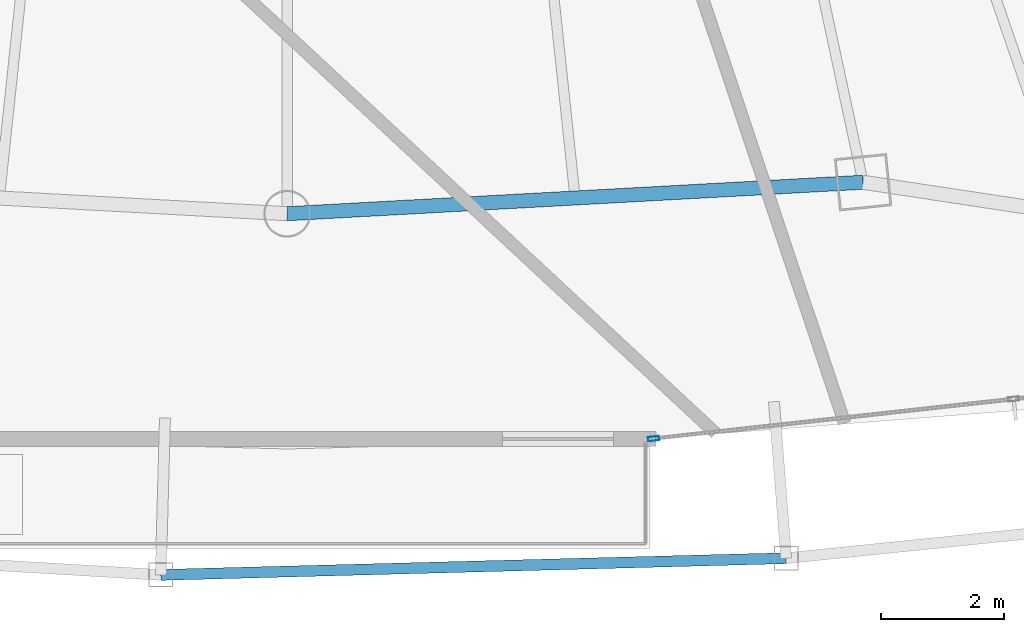
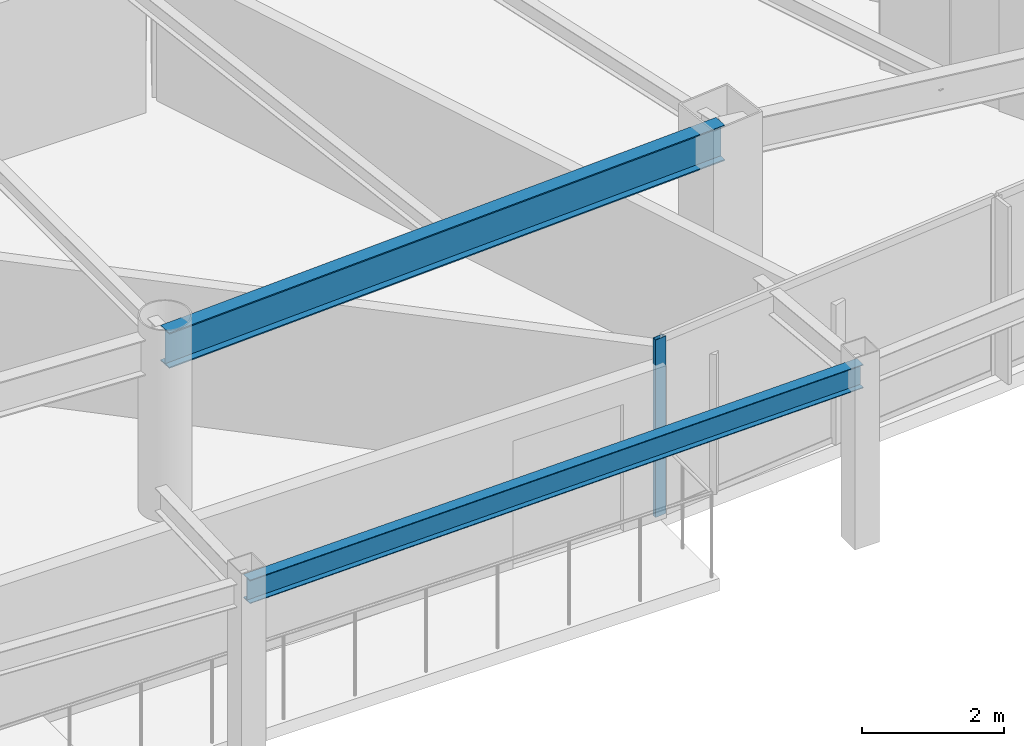
# One storey, part 7 of 31: 2 beams, 1 member, 1 element without a shape of its own.
"""IFC4 building model written with IfcOpenShell, lengths in metres."""

import ifcopenshell
import ifcopenshell.guid

model = None  # the IFC model being written
_history = None  # IfcOwnerHistory: only IFC2X3 demands one
_inside = {}  # id of a spatial element -> (the spatial element, [elements in it])
_under = {}  # id of a project, library or spatial element -> (it, [spatial elements below it])
_declared = {}  # id of a project -> (the project, [libraries it declares])
_typed = {}  # id of a type object -> (the type object, [elements of that type])
_made_of = {}  # id of a material, layer set ... -> (it, [elements and type objects made of it])


def new_model(schema):
    """Start an empty IFC model of exactly this schema.

    Asked for "IFC4X3", IfcOpenShell would pick the latest addendum, in which some entities
    have other attributes; the version numbers below select the first issue.
    IFC2X3 requires an IfcOwnerHistory on every rooted entity: one is made here for all.
    """
    global model, _history
    if schema == "IFC4X3":
        model = ifcopenshell.file(schema_version=(4, 3, 0, 0))
    else:
        model = ifcopenshell.file(schema=schema)
    _inside.clear()
    _under.clear()
    _declared.clear()
    _typed.clear()
    _made_of.clear()
    _history = None
    if model.schema == "IFC2X3":
        org = make("IfcOrganization", Name="unknown")
        user = make(
            "IfcPersonAndOrganization",
            ThePerson=make("IfcPerson", FamilyName="unknown"),
            TheOrganization=org,
        )
        app = make(
            "IfcApplication",
            ApplicationDeveloper=org,
            Version="unknown",
            ApplicationFullName="unknown",
            ApplicationIdentifier="unknown",
        )
        _history = make(
            "IfcOwnerHistory",
            OwningUser=user,
            OwningApplication=app,
            ChangeAction="ADDED",
            CreationDate=0,
        )
    return model


def make(cls, **values):
    """One entity of the class cls with the attributes given. An attribute that is None is left unset."""
    return model.create_entity(
        cls, **{name: value for name, value in values.items() if value is not None}
    )


def rooted(cls, **values):
    """An entity with a GlobalId (a new one), such as an element, a storey or a relation."""
    return make(cls, GlobalId=ifcopenshell.guid.new(), OwnerHistory=_history, **values)


def si_unit(unit_type, name, prefix=None):
    """IfcSIUnit, for example si_unit("LENGTHUNIT", "METRE", prefix="MILLI")."""
    return make("IfcSIUnit", UnitType=unit_type, Prefix=prefix, Name=name)


def assignment(units):
    """IfcUnitAssignment: the units of a project."""
    return None if units is None else make("IfcUnitAssignment", Units=units)


def point(xyz):
    """IfcCartesianPoint."""
    return None if xyz is None else make("IfcCartesianPoint", Coordinates=xyz)


def direction(xyz):
    """IfcDirection."""
    return None if xyz is None else make("IfcDirection", DirectionRatios=xyz)


def frame(location, z_axis=None, x_axis=None):
    """IfcAxis2Placement3D, a coordinate frame: its origin and axes. An axis left out is left unset."""
    return make(
        "IfcAxis2Placement3D",
        Location=point(location),
        Axis=direction(z_axis),
        RefDirection=direction(x_axis),
    )


def frame_2d(location, x_axis=None):
    """IfcAxis2Placement2D, a coordinate frame in the plane: its origin and x axis."""
    return make(
        "IfcAxis2Placement2D", Location=point(location), RefDirection=direction(x_axis)
    )


def origin():
    """The frame at (0, 0, 0) with its axes left unset."""
    return frame((0.0, 0.0, 0.0))


def origin_2d():
    """The frame at (0, 0) in the plane with its x axis left unset."""
    return frame_2d((0.0, 0.0))


def place(relative_to, where):
    """IfcLocalPlacement: puts the frame where relative to a parent placement (None: the world)."""
    return make(
        "IfcLocalPlacement", PlacementRelTo=relative_to, RelativePlacement=where
    )


def context(
    kind, dimensions, precision=None, world=None, true_north=None, identifier=None
):
    """IfcGeometricRepresentationContext, for example the 3D "Model" context."""
    return make(
        "IfcGeometricRepresentationContext",
        ContextIdentifier=identifier,
        ContextType=kind,
        CoordinateSpaceDimension=dimensions,
        Precision=precision,
        WorldCoordinateSystem=world,
        TrueNorth=true_north,
    )


def subcontext(parent, identifier, kind, view, scale=None):
    """IfcGeometricRepresentationSubContext, for example "Body" below "Model"."""
    return make(
        "IfcGeometricRepresentationSubContext",
        ContextIdentifier=identifier,
        ContextType=kind,
        ParentContext=parent,
        TargetScale=scale,
        TargetView=view,
    )


def project(units=None, contexts=None):
    """IfcProject with its units and contexts."""
    return rooted(
        "IfcProject",
        Name="project",
        RepresentationContexts=contexts,
        UnitsInContext=assignment(units),
    )


def spatial(cls, under=None, at=None, **own):
    """A site, building, storey or space (cls), placed at a placement, below another one or the project."""
    s = rooted(cls, ObjectPlacement=at, **own)
    if under is not None:
        _under.setdefault(under.id(), (under, []))[1].append(s)
    return s


def profile(cls, at=None, kind="AREA", **sizes):
    """A parametric profile (cls). Its sizes go by their IFC names, for example OverallWidth=200.0."""
    return make(cls, ProfileType=kind, Position=at, **sizes)


def hollow_rectangle(**sizes):
    """IfcRectangleHollowProfileDef."""
    return profile("IfcRectangleHollowProfileDef", **sizes)


def i_section(**sizes):
    """IfcIShapeProfileDef."""
    return profile("IfcIShapeProfileDef", **sizes)


def extrude(swept, where, along, depth):
    """IfcExtrudedAreaSolid: the profile swept, set in the frame where, extruded along a direction by depth."""
    return make(
        "IfcExtrudedAreaSolid",
        SweptArea=swept,
        Position=where,
        ExtrudedDirection=direction(along),
        Depth=depth,
    )


def shape(context_of_items, identifier, shape_type, items):
    """IfcShapeRepresentation: the items that make up one representation, for example the "Body"."""
    return make(
        "IfcShapeRepresentation",
        ContextOfItems=context_of_items,
        RepresentationIdentifier=identifier,
        RepresentationType=shape_type,
        Items=items,
    )


def material(Name=None, Category=None):
    """IfcMaterial."""
    return make("IfcMaterial", Name=Name, Category=Category)


def layer(
    of_material, thickness, ventilated=None, Name=None, Category=None, Priority=None
):
    """IfcMaterialLayer: one layer of a wall or slab, of a material (None: an air gap)."""
    return make(
        "IfcMaterialLayer",
        Material=of_material,
        LayerThickness=thickness,
        IsVentilated=ventilated,
        Name=Name,
        Category=Category,
        Priority=Priority,
    )


def layer_set(layers, Name=None):
    """IfcMaterialLayerSet."""
    return make("IfcMaterialLayerSet", MaterialLayers=layers, LayerSetName=Name)


def material_profile(
    of_material, cross_section, Name=None, Category=None, Priority=None
):
    """IfcMaterialProfile: a cross section and its material."""
    return make(
        "IfcMaterialProfile",
        Name=Name,
        Material=of_material,
        Profile=cross_section,
        Priority=Priority,
        Category=Category,
    )


def profile_set(profiles, Name=None, composite=None):
    """IfcMaterialProfileSet."""
    return make(
        "IfcMaterialProfileSet",
        Name=Name,
        MaterialProfiles=profiles,
        CompositeProfile=composite,
    )


def made_of(thing, what):
    """Note that an element or type object is made of a material, layer set ...; save() writes the relation."""
    if what is not None:
        _made_of.setdefault(what.id(), (what, []))[1].append(thing)
    return thing


def type_object(cls, material=None, **own):
    """A type object (cls), such as IfcWallType, which elements share."""
    return made_of(rooted(cls, **own), material)


def element(
    cls,
    number,
    at=None,
    inside=None,
    cuts=None,
    type_object=None,
    material=None,
    context=None,
    identifier="Body",
    shape_type=None,
    held_by="IfcProductDefinitionShape",
    body=None,
    shapes=None,
    **own,
):
    """One element of the class cls, such as IfcWall. Its Tag is "e" and its number.

    at: its placement. inside: the storey or other place that contains it. cuts: it is an
    opening in that element (IfcRelVoidsElement). A single representation is given by context,
    identifier, shape_type and body (its items); several are given by shapes. held_by: the class
    of the entity that holds the representations. save() writes the other relations.
    """
    e = rooted(cls, Tag="e%d" % number, ObjectPlacement=at, **own)
    if body is not None:
        shapes = [shape(context, identifier, shape_type, body)]
    if shapes is not None:
        e.Representation = make(held_by, Representations=shapes)
    if inside is not None:
        _inside.setdefault(inside.id(), (inside, []))[1].append(e)
    if cuts is not None:
        rooted(
            "IfcRelVoidsElement", RelatingBuildingElement=cuts, RelatedOpeningElement=e
        )
    if type_object is not None:
        _typed.setdefault(type_object.id(), (type_object, []))[1].append(e)
    return made_of(e, material)


def aggregate(whole, parts):
    """IfcRelAggregates: a whole, such as a stair, and the parts it consists of."""
    return rooted("IfcRelAggregates", RelatingObject=whole, RelatedObjects=parts)


def save(model, path):
    """Write the relations noted so far, then the file.

    IfcRelAggregates (storeys below a building ...), IfcRelContainedInSpatialStructure (elements
    in a storey), IfcRelDefinesByType, IfcRelAssociatesMaterial and IfcRelDeclares: one each for
    every whole, place, type object, material and project.
    """
    for whole, parts in _under.values():
        aggregate(whole, parts)
    for where, things in _inside.values():
        rooted(
            "IfcRelContainedInSpatialStructure",
            RelatedElements=things,
            RelatingStructure=where,
        )
    for kind, things in _typed.values():
        rooted("IfcRelDefinesByType", RelatedObjects=things, RelatingType=kind)
    for what, things in _made_of.values():
        rooted("IfcRelAssociatesMaterial", RelatedObjects=things, RelatingMaterial=what)
    for by, libraries in _declared.values():
        rooted("IfcRelDeclares", RelatingContext=by, RelatedDefinitions=libraries)
    model.write(path)


model = new_model("IFC4")

# Units and contexts
model_context = context("Model", 3, precision=1e-05, world=origin(), true_north=direction((0.0, 1.0)))
body_context = subcontext(model_context, "Body", "Model", "MODEL_VIEW")
ifc_project = project(units=[si_unit("LENGTHUNIT", "METRE"), si_unit("AREAUNIT", "SQUARE_METRE"), si_unit("VOLUMEUNIT", "CUBIC_METRE"), si_unit("PLANEANGLEUNIT", "RADIAN"), si_unit("MASSUNIT", "GRAM", prefix="KILO")], contexts=[model_context])

# Site, building, storey
site_placement = place(None, origin())
site = spatial("IfcSite", under=ifc_project, at=site_placement, CompositionType="ELEMENT")
building_placement = place(site_placement, origin())
building = spatial("IfcBuilding", under=site, at=building_placement, Name="Orvanel Arch Residences", CompositionType="ELEMENT")
storey_placement = place(building_placement, frame((0.0, 0.0, 126.5)))
storey = spatial("IfcBuildingStorey", under=building, at=storey_placement, Name="L35", CompositionType="ELEMENT", Elevation=126.5)

# Curtain wall, member
ifc_material_1 = material(Name="Bronze-anodised aluminium AA6063-T6", Category="aluminium")
ifc_layer = layer(ifc_material_1, 0.179931640625)
ifc_layer_set = layer_set([ifc_layer], Name="Bronze-anodised aluminium AA6063-T6")
curtain_wall_type = type_object("IfcCurtainWallType", Name="CW3-MID-SYS", PredefinedType="NOTDEFINED", material=ifc_layer_set)
curtain_wall_placement = place(storey_placement, origin())
curtain_wall = element("IfcCurtainWall", 1, at=curtain_wall_placement, inside=storey, type_object=curtain_wall_type, Name="L35 CW3-MID-SYS Unitised Curtain Wall", PredefinedType="NOTDEFINED")
ifc_material_profile_1 = material_profile(ifc_material_1, hollow_rectangle(XDim=0.070068359375, YDim=0.179931640625, WallThickness=0.00439453125, at=origin_2d()), Name="ALU180x70x4.5")
ifc_profile_set_1 = profile_set([ifc_material_profile_1], Name="Bronze-anodised aluminium AA6063-T6")
member_type = type_object("IfcMemberType", Name="MUL-180x70", PredefinedType="MULLION", material=ifc_profile_set_1)
member_placement = place(storey_placement, frame((38.94970703125, 3.19091796875, 0.0), z_axis=(0.0, 0.0, 1.0), x_axis=(-0.109627687319, 0.993972721041, 0.0)))
member = element("IfcMember", 2, at=member_placement, type_object=member_type, Name="CW-S3 mullion 1", PredefinedType="MULLION", context=body_context, shape_type="SweptSolid", body=[
    extrude(hollow_rectangle(XDim=0.070068359375, YDim=0.179931640625, WallThickness=0.00439453125, at=origin_2d()), origin(), (0.0, 0.0, 1.0), 3.06005859375),
])
aggregate(curtain_wall, [member])

# Beams
ifc_material_2 = material(Name="Structural steel AS/NZS 3679.1 Grade 300 (300 MPa)", Category="steel")
ifc_material_profile_2 = material_profile(ifc_material_2, i_section(OverallWidth=0.177978515625, OverallDepth=0.406005859375, WebThickness=0.0078125, FlangeThickness=0.0126953125, at=origin_2d()), Name="410UB59.7")
ifc_profile_set_2 = profile_set([ifc_material_profile_2], Name="Structural steel AS/NZS 3679.1 Grade 300 (300 MPa)")
beam_type_1 = type_object("IfcBeamType", Name="OB-410UB-EXT", PredefinedType="SPANDREL", material=ifc_profile_set_2)
beam_1_placement = place(storey_placement, frame((30.946044921875, 0.97900390625, 2.85693359375), z_axis=(0.999644189842, 0.026673839533, 0.0), x_axis=(-0.026673839533, 0.999644189842, 0.0)))
element("IfcBeam", 3, at=beam_1_placement, inside=storey, type_object=beam_type_1, Name="L35 Outer Perimeter Floor Ring Beam 06", PredefinedType="SPANDREL", context=body_context, shape_type="SweptSolid", body=[
    extrude(i_section(OverallWidth=0.177978515625, OverallDepth=0.406005859375, WebThickness=0.0078125, FlangeThickness=0.0126953125, at=origin_2d()), origin(), (0.0, 0.0, 1.0), 10.15966796875),
])
ifc_material_profile_3 = material_profile(ifc_material_2, i_section(OverallWidth=0.22900390625, OverallDepth=0.612060546875, WebThickness=0.011962890625, FlangeThickness=0.01953125, at=origin_2d()), Name="610UB125")
ifc_profile_set_3 = profile_set([ifc_material_profile_3], Name="Structural steel AS/NZS 3679.1 Grade 300 (300 MPa)")
beam_type_2 = type_object("IfcBeamType", Name="SP-610UB", PredefinedType="SPANDREL", material=ifc_profile_set_3)
beam_2_placement = place(storey_placement, frame((33.0, 6.843994140625, 2.75390625), z_axis=(0.998510315598, 0.054563262768, 0.0), x_axis=(-0.054563262768, 0.998510315598, 0.0)))
element("IfcBeam", 4, at=beam_2_placement, inside=storey, type_object=beam_type_2, Name="L35 Perimeter Spandrel Beam 06", PredefinedType="SPANDREL", context=body_context, shape_type="SweptSolid", body=[
    extrude(i_section(OverallWidth=0.22900390625, OverallDepth=0.612060546875, WebThickness=0.011962890625, FlangeThickness=0.01953125, at=origin_2d()), origin(), (0.0, 0.0, 1.0), 9.364990234375),
])

save(model, "model.ifc")
